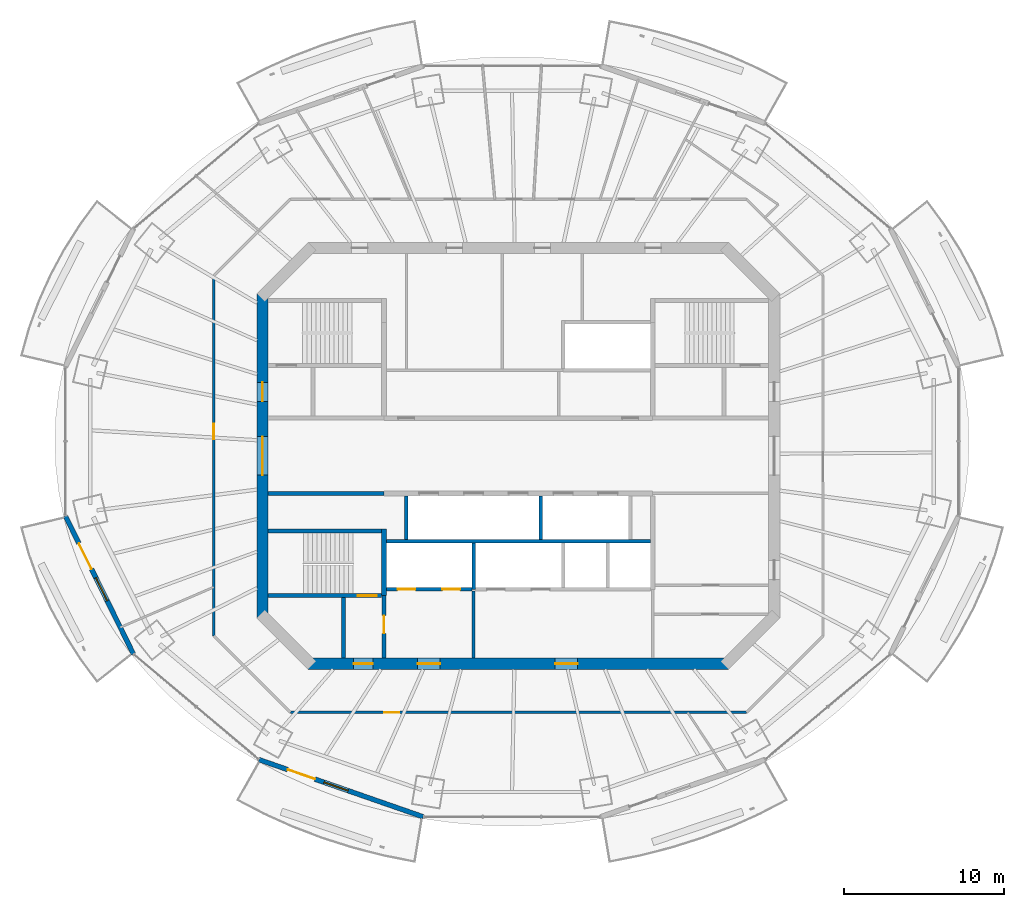
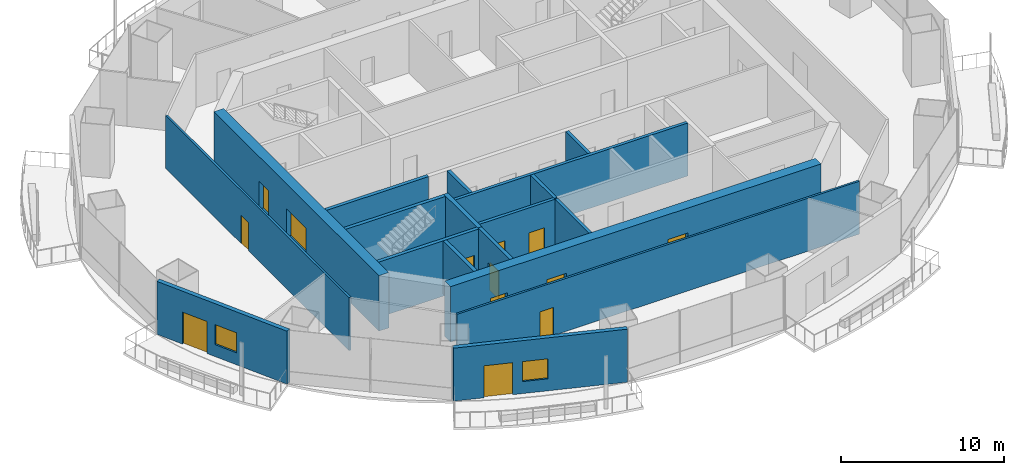
# One storey, part 8 of 16: 18 walls, 13 doors, 2 windows, 15 openings.
"""IFC4 building model written with IfcOpenShell, lengths in metres."""

from ifc_helpers import new_model, si_unit, direction, frame, frame_2d, origin, place, context, subcontext, project, spatial, rectangle, extrude, material, layer, layer_set, type_object, element, fill, save


model = new_model("IFC4")

# Units and contexts
model_context = context("Model", 3, precision=1e-05, world=origin(), true_north=direction((0.0, 1.0)))
body_context = subcontext(model_context, "Body", "Model", "MODEL_VIEW")
ifc_project = project(units=[si_unit("LENGTHUNIT", "METRE"), si_unit("AREAUNIT", "SQUARE_METRE"), si_unit("VOLUMEUNIT", "CUBIC_METRE"), si_unit("PLANEANGLEUNIT", "RADIAN"), si_unit("MASSUNIT", "GRAM", prefix="KILO")], contexts=[model_context])

# Site, building, storey
site_placement = place(None, origin())
site = spatial("IfcSite", under=ifc_project, at=site_placement, CompositionType="ELEMENT")
building_placement = place(site_placement, origin())
building = spatial("IfcBuilding", under=site, at=building_placement, Name="Marenthal Gate Tower", CompositionType="ELEMENT")
storey_placement = place(building_placement, frame((0.0, 0.0, 296.949951171875)))
storey = spatial("IfcBuildingStorey", under=building, at=storey_placement, Name="L66", CompositionType="ELEMENT", Elevation=296.949951171875)

# Wall, openings, doors
ifc_material_1 = material(Name="Concrete 60 MPa", Category="concrete")
ifc_layer_1 = layer(ifc_material_1, 0.699951171875)
ifc_layer_set_1 = layer_set([ifc_layer_1], Name="Core shear wall 700")
wall_type_1 = type_object("IfcWallType", Name="Core shear wall 700", PredefinedType="SHEAR", material=ifc_layer_set_1)
wall_1_placement = place(storey_placement, frame((-16.0, 10.14501953125, -0.179931640625), z_axis=(0.0, 0.0, 1.0), x_axis=(0.0, -1.0, 0.0)))
wall_1 = element("IfcWall", 1, at=wall_1_placement, inside=storey, type_object=wall_type_1, Name="Core wall 06", PredefinedType="SHEAR", context=body_context, shape_type="SweptSolid", body=[
    extrude(rectangle(XDim=20.2900390625, YDim=0.699951171875, at=frame_2d((10.14501953125, 0.0))), origin(), (0.0, 0.0, 1.0), 4.14990234375),
])
opening_1_placement = place(wall_1_placement, frame((8.945068359375, 0.0, 0.179931640625)))
opening_1 = element("IfcOpeningElement", 2, at=opening_1_placement, cuts=wall_1, Name="Opening D003.01", PredefinedType="OPENING", context=body_context, shape_type="SweptSolid", body=[
    extrude(rectangle(XDim=2.39990234375, YDim=2.10009765625, at=frame_2d((1.199951171875, 1.050048828125))), frame((0.0, 0.35986328125, 0.0), z_axis=(0.0, -1.0, 0.0), x_axis=(1.0, 0.0, 0.0)), (0.0, 0.0, 1.0), 0.719970703125),
])
opening_2_placement = place(wall_1_placement, frame((5.544921875, 0.0, 0.179931640625)))
opening_2 = element("IfcOpeningElement", 3, at=opening_2_placement, cuts=wall_1, Name="Opening D001.04", PredefinedType="OPENING", context=body_context, shape_type="SweptSolid", body=[
    extrude(rectangle(XDim=1.199951171875, YDim=2.10009765625, at=frame_2d((0.60009765625, 1.050048828125))), frame((0.0, 0.35986328125, 0.0), z_axis=(0.0, -1.0, 0.0), x_axis=(1.0, 0.0, 0.0)), (0.0, 0.0, 1.0), 0.719970703125),
])
ifc_material_2 = material(Name="Steel fire door", Category="steel")
door_type_1 = type_object("IfcDoorType", Name="Double fire door FD 45 2400 x 2100", OperationType="DOUBLE_DOOR_SINGLE_SWING", PredefinedType="DOOR", material=ifc_material_2)
door_1_placement = place(opening_1_placement, origin())
door_1 = element("IfcDoor", 4, at=door_1_placement, inside=storey, type_object=door_type_1, Name="Door D003.01", OperationType="DOUBLE_DOOR_SINGLE_SWING", OverallHeight=2.10009765625, OverallWidth=2.39990234375, PredefinedType="DOOR", context=body_context, shape_type="SweptSolid", body=[
    extrude(rectangle(XDim=2.39990234375, YDim=2.10009765625, at=frame_2d((1.199951171875, 1.050048828125))), frame((0.0, 0.02490234375, 0.0), z_axis=(0.0, -1.0, 0.0), x_axis=(1.0, 0.0, 0.0)), (0.0, 0.0, 1.0), 0.050048828125),
])
fill(opening_1, door_1)
ifc_material_3 = material(Name="Steel fire door", Category="steel")
door_type_2 = type_object("IfcDoorType", Name="Fire door FD 90 1200 x 2100", OperationType="NOTDEFINED", PredefinedType="DOOR", material=ifc_material_3)
door_2_placement = place(opening_2_placement, origin())
door_2 = element("IfcDoor", 5, at=door_2_placement, inside=storey, type_object=door_type_2, Name="Door D001.04", OperationType="SINGLE_SWING_RIGHT", OverallHeight=2.10009765625, OverallWidth=1.199951171875, PredefinedType="DOOR", context=body_context, shape_type="SweptSolid", body=[
    extrude(rectangle(XDim=1.199951171875, YDim=2.10009765625, at=frame_2d((0.60009765625, 1.050048828125))), frame((0.0, 0.02490234375, 0.0), z_axis=(0.0, -1.0, 0.0), x_axis=(1.0, 0.0, 0.0)), (0.0, 0.0, 1.0), 0.050048828125),
])
fill(opening_2, door_2)

wall_2_placement = place(storey_placement, frame((-13.14501953125, -13.0, -0.179931640625), z_axis=(0.0, 0.0, 1.0), x_axis=(1.0, 0.0, 0.0)))
wall_2 = element("IfcWall", 6, at=wall_2_placement, inside=storey, type_object=wall_type_1, Name="Core wall 08", PredefinedType="SHEAR", context=body_context, shape_type="SweptSolid", body=[
    extrude(rectangle(XDim=26.2900390625, YDim=0.699951171875, at=frame_2d((13.14501953125, 0.0))), origin(), (0.0, 0.0, 1.0), 4.14990234375),
])
opening_3_placement = place(wall_2_placement, frame((2.844970703125, 0.0, 0.179931640625)))
opening_3 = element("IfcOpeningElement", 7, at=opening_3_placement, cuts=wall_2, Name="Opening D001.06", PredefinedType="OPENING", context=body_context, shape_type="SweptSolid", body=[
    extrude(rectangle(XDim=1.199951171875, YDim=2.10009765625, at=frame_2d((0.60009765625, 1.050048828125))), frame((0.0, 0.35986328125, 0.0), z_axis=(0.0, -1.0, 0.0), x_axis=(1.0, 0.0, 0.0)), (0.0, 0.0, 1.0), 0.719970703125),
])
opening_4_placement = place(wall_2_placement, frame((6.844970703125, 0.0, 0.179931640625)))
opening_4 = element("IfcOpeningElement", 8, at=opening_4_placement, cuts=wall_2, Name="Opening D004.01", PredefinedType="OPENING", context=body_context, shape_type="SweptSolid", body=[
    extrude(rectangle(XDim=1.39990234375, YDim=2.10009765625, at=frame_2d((0.699951171875, 1.050048828125))), frame((0.0, 0.35986328125, 0.0), z_axis=(0.0, -1.0, 0.0), x_axis=(1.0, 0.0, 0.0)), (0.0, 0.0, 1.0), 0.719970703125),
])
opening_5_placement = place(wall_2_placement, frame((15.445068359375, 0.0, 0.179931640625)))
opening_5 = element("IfcOpeningElement", 9, at=opening_5_placement, cuts=wall_2, Name="Opening D004.02", PredefinedType="OPENING", context=body_context, shape_type="SweptSolid", body=[
    extrude(rectangle(XDim=1.39990234375, YDim=2.10009765625, at=frame_2d((0.699951171875, 1.050048828125))), frame((0.0, 0.35986328125, 0.0), z_axis=(0.0, -1.0, 0.0), x_axis=(1.0, 0.0, 0.0)), (0.0, 0.0, 1.0), 0.719970703125),
])
ifc_material_4 = material(Name="Steel fire door", Category="steel")
door_type_3 = type_object("IfcDoorType", Name="Fire door FD 45 1400 x 2100", OperationType="NOTDEFINED", PredefinedType="DOOR", material=ifc_material_4)
door_3_placement = place(opening_4_placement, origin())
door_3 = element("IfcDoor", 10, at=door_3_placement, inside=storey, type_object=door_type_3, Name="Door D004.01", OperationType="SINGLE_SWING_RIGHT", OverallHeight=2.10009765625, OverallWidth=1.39990234375, PredefinedType="DOOR", context=body_context, shape_type="SweptSolid", body=[
    extrude(rectangle(XDim=1.39990234375, YDim=2.10009765625, at=frame_2d((0.699951171875, 1.050048828125))), frame((0.0, 0.02490234375, 0.0), z_axis=(0.0, -1.0, 0.0), x_axis=(1.0, 0.0, 0.0)), (0.0, 0.0, 1.0), 0.050048828125),
])
fill(opening_4, door_3)
door_4_placement = place(opening_5_placement, origin())
door_4 = element("IfcDoor", 11, at=door_4_placement, inside=storey, type_object=door_type_3, Name="Door D004.02", OperationType="SINGLE_SWING_RIGHT", OverallHeight=2.10009765625, OverallWidth=1.39990234375, PredefinedType="DOOR", context=body_context, shape_type="SweptSolid", body=[
    extrude(rectangle(XDim=1.39990234375, YDim=2.10009765625, at=frame_2d((0.699951171875, 1.050048828125))), frame((0.0, 0.02490234375, 0.0), z_axis=(0.0, -1.0, 0.0), x_axis=(1.0, 0.0, 0.0)), (0.0, 0.0, 1.0), 0.050048828125),
])
fill(opening_5, door_4)
door_5_placement = place(opening_3_placement, origin())
door_5 = element("IfcDoor", 12, at=door_5_placement, inside=storey, type_object=door_type_2, Name="Door D001.06", OperationType="SINGLE_SWING_RIGHT", OverallHeight=2.10009765625, OverallWidth=1.199951171875, PredefinedType="DOOR", context=body_context, shape_type="SweptSolid", body=[
    extrude(rectangle(XDim=1.199951171875, YDim=2.10009765625, at=frame_2d((0.60009765625, 1.050048828125))), frame((0.0, 0.02490234375, 0.0), z_axis=(0.0, -1.0, 0.0), x_axis=(1.0, 0.0, 0.0)), (0.0, 0.0, 1.0), 0.050048828125),
])
fill(opening_3, door_5)

# Walls
ifc_material_5 = material(Name="Gypsum board on steel studs", Category="steel")
ifc_layer_2 = layer(ifc_material_5, 0.199951171875)
ifc_layer_set_2 = layer_set([ifc_layer_2], Name="Fire lobby wall 200")
wall_type_2 = type_object("IfcWallType", Name="Fire lobby wall 200", PredefinedType="PARTITIONING", material=ifc_layer_set_2)
wall_3_placement = place(storey_placement, frame((-2.800048828125, -12.64990234375, 0.0), z_axis=(0.0, 0.0, 1.0), x_axis=(0.0, 1.0, 0.0)))
element("IfcWall", 13, at=wall_3_placement, inside=storey, type_object=wall_type_2, Name="Fire wall 37", PredefinedType="PARTITIONING", context=body_context, shape_type="SweptSolid", body=[
    extrude(rectangle(XDim=4.18994140625, YDim=0.199951171875, at=frame_2d((2.094970703125, 0.0))), origin(), (0.0, 0.0, 1.0), 3.969970703125),
])
ifc_material_6 = material(Name="Concrete 50 MPa", Category="concrete")
ifc_layer_3 = layer(ifc_material_6, 0.300048828125)
ifc_layer_set_3 = layer_set([ifc_layer_3], Name="Hoistway shear wall 300")
wall_type_3 = type_object("IfcWallType", Name="Hoistway shear wall 300", PredefinedType="SHEAR", material=ifc_layer_set_3)
wall_4_placement = place(storey_placement, frame((-8.39990234375, -8.75, -0.179931640625), z_axis=(0.0, 0.0, 1.0), x_axis=(0.0, 1.0, 0.0)))
element("IfcWall", 14, at=wall_4_placement, inside=storey, type_object=wall_type_3, Name="Hoistway wall 32", PredefinedType="SHEAR", context=body_context, shape_type="SweptSolid", body=[
    extrude(rectangle(XDim=4.175048828125, YDim=0.300048828125, at=frame_2d((2.08740234375, 0.0))), origin(), (0.0, 0.0, 1.0), 4.14990234375),
])

# Wall, openings, doors
ifc_material_7 = material(Name="Concrete 40 MPa", Category="concrete")
ifc_layer_4 = layer(ifc_material_7, 0.219970703125)
ifc_layer_set_4 = layer_set([ifc_layer_4], Name="Hoistway wall 220")
wall_type_4 = type_object("IfcWallType", Name="Hoistway wall 220", PredefinedType="STANDARD", material=ifc_layer_set_4)
wall_5_placement = place(storey_placement, frame((-8.25, -8.35009765625, 0.0), z_axis=(0.0, 0.0, 1.0), x_axis=(1.0, 0.0, 0.0)))
wall_5 = element("IfcWall", 15, at=wall_5_placement, inside=storey, type_object=wall_type_4, Name="Hoistway wall 11", PredefinedType="STANDARD", context=body_context, shape_type="SweptSolid", body=[
    extrude(rectangle(XDim=5.340087890625, YDim=0.219970703125, at=frame_2d((2.669921875, 0.0))), origin(), (0.0, 0.0, 1.0), 3.969970703125),
])
opening_6_placement = place(wall_5_placement, frame((0.699951171875, 0.0, 0.0)))
opening_6 = element("IfcOpeningElement", 16, at=opening_6_placement, cuts=wall_5, Name="Opening LD-LF1", PredefinedType="OPENING", context=body_context, shape_type="SweptSolid", body=[
    extrude(rectangle(XDim=1.10009765625, YDim=2.10009765625, at=frame_2d((0.550048828125, 1.050048828125))), frame((0.0, 0.1201171875, 0.0), z_axis=(0.0, -1.0, 0.0), x_axis=(1.0, 0.0, 0.0)), (0.0, 0.0, 1.0), 0.239990234375),
])
opening_7_placement = place(wall_5_placement, frame((3.5, 0.0, 0.0)))
opening_7 = element("IfcOpeningElement", 17, at=opening_7_placement, cuts=wall_5, Name="Opening LD-LF2", PredefinedType="OPENING", context=body_context, shape_type="SweptSolid", body=[
    extrude(rectangle(XDim=1.10009765625, YDim=2.10009765625, at=frame_2d((0.550048828125, 1.050048828125))), frame((0.0, 0.1201171875, 0.0), z_axis=(0.0, -1.0, 0.0), x_axis=(1.0, 0.0, 0.0)), (0.0, 0.0, 1.0), 0.239990234375),
])
ifc_material_8 = material(Name="Stainless steel sliding door", Category="steel")
door_type_4 = type_object("IfcDoorType", Name="Lift landing door FD 90 1100 x 2100", OperationType="DOUBLE_DOOR_SLIDING", PredefinedType="DOOR", material=ifc_material_8)
door_6_placement = place(opening_6_placement, origin())
door_6 = element("IfcDoor", 18, at=door_6_placement, inside=storey, type_object=door_type_4, Name="Lift landing door LF1", OperationType="DOUBLE_DOOR_SLIDING", OverallHeight=2.10009765625, OverallWidth=1.10009765625, PredefinedType="DOOR", context=body_context, shape_type="SweptSolid", body=[
    extrude(rectangle(XDim=1.10009765625, YDim=2.10009765625, at=frame_2d((0.550048828125, 1.050048828125))), frame((0.0, 0.02490234375, 0.0), z_axis=(0.0, -1.0, 0.0), x_axis=(1.0, 0.0, 0.0)), (0.0, 0.0, 1.0), 0.050048828125),
])
fill(opening_6, door_6)
door_7_placement = place(opening_7_placement, origin())
door_7 = element("IfcDoor", 19, at=door_7_placement, inside=storey, type_object=door_type_4, Name="Lift landing door LF2", OperationType="DOUBLE_DOOR_SLIDING", OverallHeight=2.10009765625, OverallWidth=1.10009765625, PredefinedType="DOOR", context=body_context, shape_type="SweptSolid", body=[
    extrude(rectangle(XDim=1.10009765625, YDim=2.10009765625, at=frame_2d((0.550048828125, 1.050048828125))), frame((0.0, 0.02490234375, 0.0), z_axis=(0.0, -1.0, 0.0), x_axis=(1.0, 0.0, 0.0)), (0.0, 0.0, 1.0), 0.050048828125),
])
fill(opening_7, door_7)

# Walls
wall_6_placement = place(storey_placement, frame((-8.25, -5.35009765625, 0.0), z_axis=(0.0, 0.0, 1.0), x_axis=(1.0, 0.0, 0.0)))
element("IfcWall", 20, at=wall_6_placement, inside=storey, type_object=wall_type_4, Name="Hoistway wall 14", PredefinedType="STANDARD", context=body_context, shape_type="SweptSolid", body=[
    extrude(rectangle(XDim=16.5, YDim=0.219970703125, at=frame_2d((8.25, 0.0))), origin(), (0.0, 0.0, 1.0), 3.969970703125),
])
wall_7_placement = place(storey_placement, frame((-7.0, -5.239990234375, 0.0), z_axis=(0.0, 0.0, 1.0), x_axis=(0.0, 1.0, 0.0)))
element("IfcWall", 21, at=wall_7_placement, inside=storey, type_object=wall_type_4, Name="Hoistway wall 35", PredefinedType="STANDARD", context=body_context, shape_type="SweptSolid", body=[
    extrude(rectangle(XDim=2.739990234375, YDim=0.219970703125, at=frame_2d((1.3701171875, 0.0))), origin(), (0.0, 0.0, 1.0), 3.969970703125),
])
wall_8_placement = place(storey_placement, frame((-2.800048828125, -8.35009765625, 0.0), z_axis=(0.0, 0.0, 1.0), x_axis=(0.0, 1.0, 0.0)))
element("IfcWall", 22, at=wall_8_placement, inside=storey, type_object=wall_type_4, Name="Hoistway wall 38", PredefinedType="STANDARD", context=body_context, shape_type="SweptSolid", body=[
    extrude(rectangle(XDim=2.89013671875, YDim=0.219970703125, at=frame_2d((1.445068359375, 0.0))), origin(), (0.0, 0.0, 1.0), 3.969970703125),
])
wall_9_placement = place(storey_placement, frame((1.39990234375, -5.239990234375, 0.0), z_axis=(0.0, 0.0, 1.0), x_axis=(0.0, 1.0, 0.0)))
element("IfcWall", 23, at=wall_9_placement, inside=storey, type_object=wall_type_4, Name="Hoistway wall 40", PredefinedType="STANDARD", context=body_context, shape_type="SweptSolid", body=[
    extrude(rectangle(XDim=2.739990234375, YDim=0.219970703125, at=frame_2d((1.3701171875, 0.0))), origin(), (0.0, 0.0, 1.0), 3.969970703125),
])

# Wall, opening, door
ifc_material_9 = material(Name="Gypsum board on steel studs", Category="steel")
ifc_layer_5 = layer(ifc_material_9, 0.14990234375)
ifc_layer_set_5 = layer_set([ifc_layer_5], Name="Partition 150")
wall_type_5 = type_object("IfcWallType", Name="Partition 150", PredefinedType="PARTITIONING", material=ifc_layer_set_5)
wall_10_placement = place(storey_placement, frame((-19.050048828125, -11.263427734375, 0.0), z_axis=(0.0, 0.0, 1.0), x_axis=(0.0, 1.0, 0.0)))
wall_10 = element("IfcWall", 24, at=wall_10_placement, inside=storey, type_object=wall_type_5, Name="Partition wall 52", PredefinedType="PARTITIONING", context=body_context, shape_type="SweptSolid", body=[
    extrude(rectangle(XDim=22.52685546875, YDim=0.14990234375, at=frame_2d((11.263427734375, 0.0))), origin(), (0.0, 0.0, 1.0), 3.969970703125),
])
opening_8_placement = place(wall_10_placement, frame((12.31494140625, 0.0, 0.0)))
opening_8 = element("IfcOpeningElement", 25, at=opening_8_placement, cuts=wall_10, Name="Opening D016.08", PredefinedType="OPENING", context=body_context, shape_type="SweptSolid", body=[
    extrude(rectangle(XDim=0.949951171875, YDim=2.10009765625, at=frame_2d((0.47509765625, 1.050048828125))), frame((0.0, 0.0849609375, 0.0), z_axis=(0.0, -1.0, 0.0), x_axis=(1.0, 0.0, 0.0)), (0.0, 0.0, 1.0), 0.169921875),
])
ifc_material_10 = material(Name="Timber door", Category="wood")
door_type_5 = type_object("IfcDoorType", Name="Door 950 x 2100", OperationType="NOTDEFINED", PredefinedType="DOOR", material=ifc_material_10)
door_8_placement = place(opening_8_placement, frame((0.949951171875, 0.0, 0.0), z_axis=(0.0, 0.0, 1.0), x_axis=(-1.0, 0.0, 0.0)))
door_8 = element("IfcDoor", 26, at=door_8_placement, inside=storey, type_object=door_type_5, Name="Door D016.08", OperationType="SINGLE_SWING_LEFT", OverallHeight=2.10009765625, OverallWidth=0.949951171875, PredefinedType="DOOR", context=body_context, shape_type="SweptSolid", body=[
    extrude(rectangle(XDim=0.949951171875, YDim=2.10009765625, at=frame_2d((0.47509765625, 1.050048828125))), frame((0.0, 0.02490234375, 0.0), z_axis=(0.0, -1.0, 0.0), x_axis=(1.0, 0.0, 0.0)), (0.0, 0.0, 1.0), 0.050048828125),
])
fill(opening_8, door_8)

wall_11_placement = place(storey_placement, frame((14.263427734375, -16.050048828125, 0.0), z_axis=(0.0, 0.0, 1.0), x_axis=(-1.0, 0.0, 0.0)))
wall_11 = element("IfcWall", 27, at=wall_11_placement, inside=storey, type_object=wall_type_5, Name="Partition wall 65", PredefinedType="PARTITIONING", context=body_context, shape_type="SweptSolid", body=[
    extrude(rectangle(XDim=28.52685546875, YDim=0.14990234375, at=frame_2d((14.263427734375, 0.0))), origin(), (0.0, 0.0, 1.0), 3.969970703125),
])
opening_9_placement = place(wall_11_placement, frame((21.717041015625, 0.0, 0.0)))
opening_9 = element("IfcOpeningElement", 28, at=opening_9_placement, cuts=wall_11, Name="Opening D016.09", PredefinedType="OPENING", context=body_context, shape_type="SweptSolid", body=[
    extrude(rectangle(XDim=0.949951171875, YDim=2.10009765625, at=frame_2d((0.47509765625, 1.050048828125))), frame((0.0, 0.0849609375, 0.0), z_axis=(0.0, -1.0, 0.0), x_axis=(1.0, 0.0, 0.0)), (0.0, 0.0, 1.0), 0.169921875),
])
door_9_placement = place(opening_9_placement, frame((0.949951171875, 0.0, 0.0), z_axis=(0.0, 0.0, 1.0), x_axis=(-1.0, 0.0, 0.0)))
door_9 = element("IfcDoor", 29, at=door_9_placement, inside=storey, type_object=door_type_5, Name="Door D016.09", OperationType="SINGLE_SWING_LEFT", OverallHeight=2.10009765625, OverallWidth=0.949951171875, PredefinedType="DOOR", context=body_context, shape_type="SweptSolid", body=[
    extrude(rectangle(XDim=0.949951171875, YDim=2.10009765625, at=frame_2d((0.47509765625, 1.050048828125))), frame((0.0, 0.02490234375, 0.0), z_axis=(0.0, -1.0, 0.0), x_axis=(1.0, 0.0, 0.0)), (0.0, 0.0, 1.0), 0.050048828125),
])
fill(opening_9, door_9)

# Walls
ifc_material_11 = material(Name="Concrete 40 MPa", Category="concrete")
ifc_layer_6 = layer(ifc_material_11, 0.25)
ifc_layer_set_6 = layer_set([ifc_layer_6], Name="Stair enclosure wall 250")
wall_type_6 = type_object("IfcWallType", Name="Stair enclosure wall 250", PredefinedType="STANDARD", material=ifc_layer_set_6)
wall_12_placement = place(storey_placement, frame((-15.64990234375, -2.35009765625, 0.0), z_axis=(0.0, 0.0, 1.0), x_axis=(1.0, 0.0, 0.0)))
element("IfcWall", 30, at=wall_12_placement, inside=storey, type_object=wall_type_6, Name="Stair wall 16", PredefinedType="STANDARD", context=body_context, shape_type="SweptSolid", body=[
    extrude(rectangle(XDim=7.25, YDim=0.25, at=frame_2d((3.625, 0.0))), origin(), (0.0, 0.0, 1.0), 3.969970703125),
])
wall_13_placement = place(storey_placement, frame((-10.949951171875, -12.64990234375, 0.0), z_axis=(0.0, 0.0, 1.0), x_axis=(0.0, 1.0, 0.0)))
element("IfcWall", 31, at=wall_13_placement, inside=storey, type_object=wall_type_6, Name="Stair wall 30", PredefinedType="STANDARD", context=body_context, shape_type="SweptSolid", body=[
    extrude(rectangle(XDim=3.77490234375, YDim=0.25, at=frame_2d((1.887451171875, 0.0))), origin(), (0.0, 0.0, 1.0), 3.969970703125),
])

# Wall, opening, door
wall_14_placement = place(storey_placement, frame((-8.39990234375, -12.64990234375, 0.0), z_axis=(0.0, 0.0, 1.0), x_axis=(0.0, 1.0, 0.0)))
wall_14 = element("IfcWall", 32, at=wall_14_placement, inside=storey, type_object=wall_type_6, Name="Stair wall 31", PredefinedType="STANDARD", context=body_context, shape_type="SweptSolid", body=[
    extrude(rectangle(XDim=3.89990234375, YDim=0.25, at=frame_2d((1.949951171875, 0.0))), origin(), (0.0, 0.0, 1.0), 3.969970703125),
])
opening_10_placement = place(wall_14_placement, frame((1.550048828125, 0.0, 0.0)))
opening_10 = element("IfcOpeningElement", 33, at=opening_10_placement, cuts=wall_14, Name="Opening D002.01", PredefinedType="OPENING", context=body_context, shape_type="SweptSolid", body=[
    extrude(rectangle(XDim=1.10009765625, YDim=2.10009765625, at=frame_2d((0.550048828125, 1.050048828125))), frame((0.0, 0.135009765625, 0.0), z_axis=(0.0, -1.0, 0.0), x_axis=(1.0, 0.0, 0.0)), (0.0, 0.0, 1.0), 0.27001953125),
])
ifc_material_12 = material(Name="Steel fire door", Category="steel")
door_type_6 = type_object("IfcDoorType", Name="Fire door FD 90 1100 x 2100", OperationType="NOTDEFINED", PredefinedType="DOOR", material=ifc_material_12)
door_10_placement = place(opening_10_placement, origin())
door_10 = element("IfcDoor", 34, at=door_10_placement, inside=storey, type_object=door_type_6, Name="Door D002.01", OperationType="SINGLE_SWING_RIGHT", OverallHeight=2.10009765625, OverallWidth=1.10009765625, PredefinedType="DOOR", context=body_context, shape_type="SweptSolid", body=[
    extrude(rectangle(XDim=1.10009765625, YDim=2.10009765625, at=frame_2d((0.550048828125, 1.050048828125))), frame((0.0, 0.02490234375, 0.0), z_axis=(0.0, -1.0, 0.0), x_axis=(1.0, 0.0, 0.0)), (0.0, 0.0, 1.0), 0.050048828125),
])
fill(opening_10, door_10)

ifc_material_13 = material(Name="Concrete 50 MPa", Category="concrete")
ifc_layer_7 = layer(ifc_material_13, 0.25)
ifc_layer_set_7 = layer_set([ifc_layer_7], Name="Stair shear wall 250")
wall_type_7 = type_object("IfcWallType", Name="Stair shear wall 250", PredefinedType="SHEAR", material=ifc_layer_set_7)
wall_15_placement = place(storey_placement, frame((-15.64990234375, -8.75, -0.179931640625), z_axis=(0.0, 0.0, 1.0), x_axis=(1.0, 0.0, 0.0)))
wall_15 = element("IfcWall", 35, at=wall_15_placement, inside=storey, type_object=wall_type_7, Name="Stair wall 10", PredefinedType="SHEAR", context=body_context, shape_type="SweptSolid", body=[
    extrude(rectangle(XDim=7.099853515625, YDim=0.25, at=frame_2d((3.5498046875, 0.0))), origin(), (0.0, 0.0, 1.0), 4.14990234375),
])
opening_11_placement = place(wall_15_placement, frame((5.60009765625, 0.0, 0.179931640625)))
opening_11 = element("IfcOpeningElement", 36, at=opening_11_placement, cuts=wall_15, Name="Opening D001.03", PredefinedType="OPENING", context=body_context, shape_type="SweptSolid", body=[
    extrude(rectangle(XDim=1.199951171875, YDim=2.10009765625, at=frame_2d((0.60009765625, 1.050048828125))), frame((0.0, 0.135009765625, 0.0), z_axis=(0.0, -1.0, 0.0), x_axis=(1.0, 0.0, 0.0)), (0.0, 0.0, 1.0), 0.27001953125),
])
door_11_placement = place(opening_11_placement, origin())
door_11 = element("IfcDoor", 37, at=door_11_placement, inside=storey, type_object=door_type_2, Name="Door D001.03", OperationType="SINGLE_SWING_RIGHT", OverallHeight=2.10009765625, OverallWidth=1.199951171875, PredefinedType="DOOR", context=body_context, shape_type="SweptSolid", body=[
    extrude(rectangle(XDim=1.199951171875, YDim=2.10009765625, at=frame_2d((0.60009765625, 1.050048828125))), frame((0.0, 0.02490234375, 0.0), z_axis=(0.0, -1.0, 0.0), x_axis=(1.0, 0.0, 0.0)), (0.0, 0.0, 1.0), 0.050048828125),
])
fill(opening_11, door_11)

# Wall
wall_16_placement = place(storey_placement, frame((-15.64990234375, -4.699951171875, -0.179931640625), z_axis=(0.0, 0.0, 1.0), x_axis=(1.0, 0.0, 0.0)))
element("IfcWall", 38, at=wall_16_placement, inside=storey, type_object=wall_type_7, Name="Stair wall 15", PredefinedType="SHEAR", context=body_context, shape_type="SweptSolid", body=[
    extrude(rectangle(XDim=7.099853515625, YDim=0.25, at=frame_2d((3.5498046875, 0.0))), origin(), (0.0, 0.0, 1.0), 4.14990234375),
])

# Wall, openings, door, window
ifc_material_14 = material(Name="Terracotta cladding on insulated concrete-block backing", Category="masonry")
ifc_layer_8 = layer(ifc_material_14, 0.300048828125)
ifc_layer_set_8 = layer_set([ifc_layer_8], Name="Terracotta facade wall 300")
wall_type_8 = type_object("IfcWallType", Name="Terracotta facade wall 300", PredefinedType="SOLIDWALL", material=ifc_layer_set_8)
wall_17_placement = place(storey_placement, frame((-28.328857421875, -3.77001953125, 0.0), z_axis=(0.0, 0.0, 1.0), x_axis=(0.441998272381, -0.897015901315, 0.0)))
wall_17 = element("IfcWall", 39, at=wall_17_placement, inside=storey, type_object=wall_type_8, Name="Terracotta facade wall L66 bay 9", PredefinedType="SOLIDWALL", context=body_context, shape_type="SweptSolid", body=[
    extrude(rectangle(XDim=9.619873046875, YDim=0.300048828125, at=frame_2d((4.81005859375, 0.0))), origin(), (0.0, 0.0, 1.0), 3.969970703125),
])
opening_12_placement = place(wall_17_placement, frame((1.89990234375, 0.0, 0.0)))
opening_12 = element("IfcOpeningElement", 40, at=opening_12_placement, cuts=wall_17, Name="Opening BD-L66-09", PredefinedType="OPENING", context=body_context, shape_type="SweptSolid", body=[
    extrude(rectangle(XDim=1.800048828125, YDim=2.39990234375, at=frame_2d((0.89990234375, 1.199951171875))), frame((0.0, 0.16015625, 0.0), z_axis=(0.0, -1.0, 0.0), x_axis=(1.0, 0.0, 0.0)), (0.0, 0.0, 1.0), 0.320068359375),
])
opening_13_placement = place(wall_17_placement, frame((4.300048828125, 0.0, 0.89990234375)))
opening_13 = element("IfcOpeningElement", 41, at=opening_13_placement, cuts=wall_17, Name="Opening WN3-L66-09", PredefinedType="OPENING", context=body_context, shape_type="SweptSolid", body=[
    extrude(rectangle(XDim=1.60009765625, YDim=1.5, at=frame_2d((0.800048828125, 0.75))), frame((0.0, 0.16015625, 0.0), z_axis=(0.0, -1.0, 0.0), x_axis=(1.0, 0.0, 0.0)), (0.0, 0.0, 1.0), 0.320068359375),
])
ifc_material_15 = material(Name="Aluminium and glass", Category="aluminium")
door_type_7 = type_object("IfcDoorType", Name="Balcony door 1800x2400", OperationType="DOUBLE_DOOR_SINGLE_SWING", PredefinedType="DOOR", material=ifc_material_15)
door_12_placement = place(opening_12_placement, origin())
door_12 = element("IfcDoor", 42, at=door_12_placement, inside=storey, type_object=door_type_7, Name="Balcony door L66 bay 9", OperationType="SINGLE_SWING_LEFT", OverallHeight=2.39990234375, OverallWidth=1.800048828125, PredefinedType="DOOR", context=body_context, shape_type="SweptSolid", body=[
    extrude(rectangle(XDim=1.800048828125, YDim=2.39990234375, at=frame_2d((0.89990234375, 1.199951171875))), frame((0.0, 0.02490234375, 0.0), z_axis=(0.0, -1.0, 0.0), x_axis=(1.0, 0.0, 0.0)), (0.0, 0.0, 1.0), 0.050048828125),
])
fill(opening_12, door_12)
ifc_material_16 = material(Name="Aluminium and glass", Category="aluminium")
window_type = type_object("IfcWindowType", Name="Window 1600x1500", PartitioningType="DOUBLE_PANEL_VERTICAL", PredefinedType="WINDOW", material=ifc_material_16)
window_1_placement = place(opening_13_placement, origin())
window_1 = element("IfcWindow", 43, at=window_1_placement, inside=storey, type_object=window_type, Name="Window L66 bay 9", OverallHeight=1.5, OverallWidth=1.60009765625, PartitioningType="SINGLE_PANEL", PredefinedType="WINDOW", context=body_context, shape_type="SweptSolid", body=[
    extrude(rectangle(XDim=1.60009765625, YDim=1.5, at=frame_2d((0.800048828125, 0.75))), frame((0.0, 0.030029296875, 0.0), z_axis=(0.0, -1.0, 0.0), x_axis=(1.0, 0.0, 0.0)), (0.0, 0.0, 1.0), 0.06005859375),
])
fill(opening_13, window_1)

wall_18_placement = place(storey_placement, frame((-16.220458984375, -19.003662109375, 0.0), z_axis=(0.0, 0.0, 1.0), x_axis=(0.944390086162, -0.328827257323, 0.0)))
wall_18 = element("IfcWall", 44, at=wall_18_placement, inside=storey, type_object=wall_type_8, Name="Terracotta facade wall L66 bay 11", PredefinedType="SOLIDWALL", context=body_context, shape_type="SweptSolid", body=[
    extrude(rectangle(XDim=10.86962890625, YDim=0.300048828125, at=frame_2d((5.434814453125, 0.0))), origin(), (0.0, 0.0, 1.0), 3.969970703125),
])
opening_14_placement = place(wall_18_placement, frame((1.89990234375, 0.0, 0.0)))
opening_14 = element("IfcOpeningElement", 45, at=opening_14_placement, cuts=wall_18, Name="Opening BD-L66-11", PredefinedType="OPENING", context=body_context, shape_type="SweptSolid", body=[
    extrude(rectangle(XDim=1.800048828125, YDim=2.39990234375, at=frame_2d((0.89990234375, 1.199951171875))), frame((0.0, 0.16015625, 0.0), z_axis=(0.0, -1.0, 0.0), x_axis=(1.0, 0.0, 0.0)), (0.0, 0.0, 1.0), 0.320068359375),
])
opening_15_placement = place(wall_18_placement, frame((4.300048828125, 0.0, 0.89990234375)))
opening_15 = element("IfcOpeningElement", 46, at=opening_15_placement, cuts=wall_18, Name="Opening WN3-L66-11", PredefinedType="OPENING", context=body_context, shape_type="SweptSolid", body=[
    extrude(rectangle(XDim=1.60009765625, YDim=1.5, at=frame_2d((0.800048828125, 0.75))), frame((0.0, 0.16015625, 0.0), z_axis=(0.0, -1.0, 0.0), x_axis=(1.0, 0.0, 0.0)), (0.0, 0.0, 1.0), 0.320068359375),
])
door_13_placement = place(opening_14_placement, origin())
door_13 = element("IfcDoor", 47, at=door_13_placement, inside=storey, type_object=door_type_7, Name="Balcony door L66 bay 11", OperationType="SINGLE_SWING_LEFT", OverallHeight=2.39990234375, OverallWidth=1.800048828125, PredefinedType="DOOR", context=body_context, shape_type="SweptSolid", body=[
    extrude(rectangle(XDim=1.800048828125, YDim=2.39990234375, at=frame_2d((0.89990234375, 1.199951171875))), frame((0.0, 0.02490234375, 0.0), z_axis=(0.0, -1.0, 0.0), x_axis=(1.0, 0.0, 0.0)), (0.0, 0.0, 1.0), 0.050048828125),
])
fill(opening_14, door_13)
window_2_placement = place(opening_15_placement, origin())
window_2 = element("IfcWindow", 48, at=window_2_placement, inside=storey, type_object=window_type, Name="Window L66 bay 11", OverallHeight=1.5, OverallWidth=1.60009765625, PartitioningType="SINGLE_PANEL", PredefinedType="WINDOW", context=body_context, shape_type="SweptSolid", body=[
    extrude(rectangle(XDim=1.60009765625, YDim=1.5, at=frame_2d((0.800048828125, 0.75))), frame((0.0, 0.030029296875, 0.0), z_axis=(0.0, -1.0, 0.0), x_axis=(1.0, 0.0, 0.0)), (0.0, 0.0, 1.0), 0.06005859375),
])
fill(opening_15, window_2)

save(model, "model.ifc")
